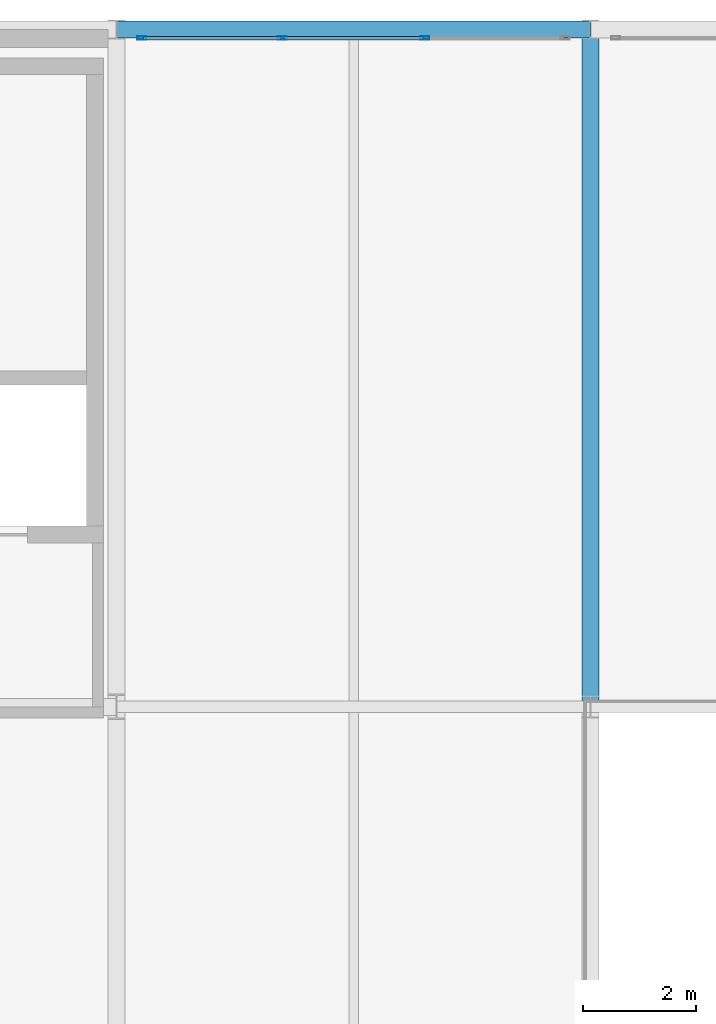
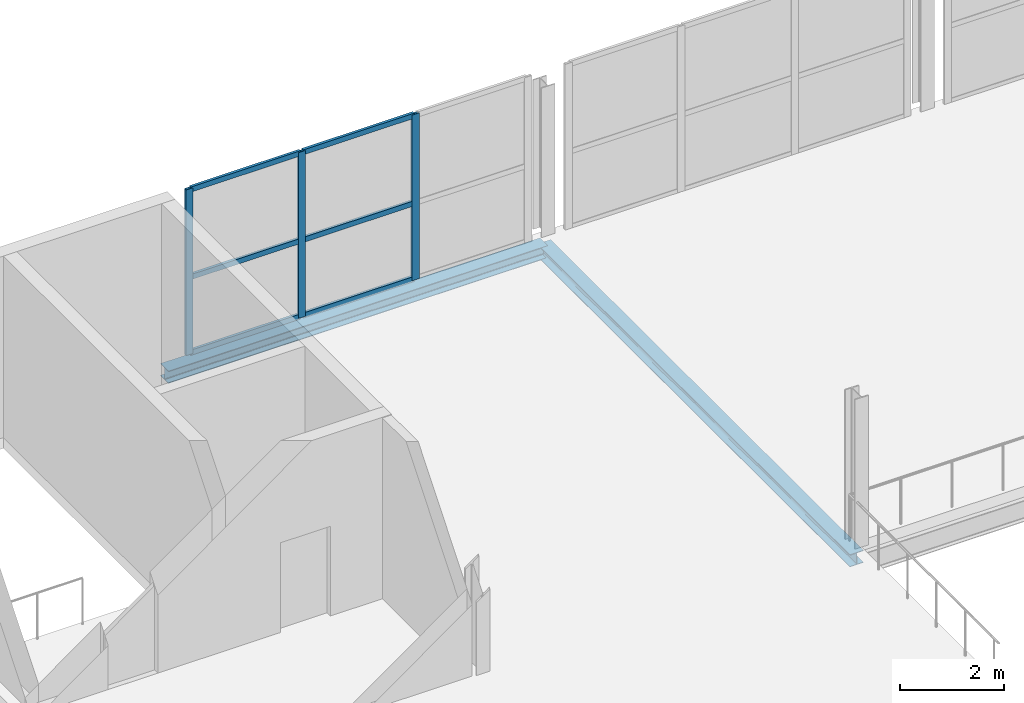
# One storey, part 61 of 103: 9 members, 2 beams, 1 element without a shape of its own.
"""IFC4 building model written with IfcOpenShell, lengths in metres."""

from ifc_helpers import new_model, si_unit, direction, frame, origin, origin_2d, place, context, subcontext, project, spatial, hollow_rectangle, i_section, extrude, material, material_profile, profile_set, type_object, element, aggregate, save


model = new_model("IFC4")

# Units and contexts
model_context = context("Model", 3, precision=1e-05, world=origin(), true_north=direction((0.0, 1.0)))
body_context = subcontext(model_context, "Body", "Model", "MODEL_VIEW")
ifc_project = project(units=[si_unit("LENGTHUNIT", "METRE"), si_unit("AREAUNIT", "SQUARE_METRE"), si_unit("VOLUMEUNIT", "CUBIC_METRE"), si_unit("PLANEANGLEUNIT", "RADIAN"), si_unit("MASSUNIT", "GRAM", prefix="KILO")], contexts=[model_context])

# Site, building, storey
site_placement = place(None, origin())
site = spatial("IfcSite", under=ifc_project, at=site_placement, CompositionType="ELEMENT")
building_placement = place(site_placement, origin())
building = spatial("IfcBuilding", under=site, at=building_placement, Name="Veltarok Museum of Natural Sciences", CompositionType="ELEMENT")
storey_placement = place(building_placement, frame((0.0, 0.0, 21.89990234375)))
storey = spatial("IfcBuildingStorey", under=building, at=storey_placement, Name="L04", CompositionType="ELEMENT", Elevation=21.89990234375)

# Curtain wall, members
ifc_material_1 = material(Name="Low-iron triple insulated glass", Category="glass")
curtain_wall_type = type_object("IfcCurtainWallType", Name="Curtain Wall System CW-V2N-L04-6-756x388 (V2 North Hall L04 6-7 756x388cm)", PredefinedType="NOTDEFINED", material=ifc_material_1)
curtain_wall_placement = place(storey_placement, origin())
curtain_wall = element("IfcCurtainWall", 1, at=curtain_wall_placement, inside=storey, type_object=curtain_wall_type, Name="Curtain Wall CW-V2N-L04-6-756x388 CW-0061", PredefinedType="NOTDEFINED")
ifc_material_2 = material(Name="Thermally broken anodised aluminium", Category="aluminium")
ifc_material_profile_1 = material_profile(ifc_material_2, hollow_rectangle(XDim=0.06005859375, YDim=0.1201171875, WallThickness=0.0048828125, at=origin_2d()), Name="CW TRANSOM 60x120x5")
ifc_profile_set_1 = profile_set([ifc_material_profile_1], Name="Thermally broken anodised aluminium")
member_type_1 = type_object("IfcMemberType", Name="Curtain Wall Horizontal Transom 60x120x5", PredefinedType="USERDEFINED", material=ifc_profile_set_1)
member_1_placement = place(storey_placement, frame((53.830078125, 71.85009765625, 0.030029296875), z_axis=(-1.0, 0.0, 0.0), x_axis=(0.0, -1.0, 0.0)))
member_1 = element("IfcMember", 2, at=member_1_placement, type_object=member_type_1, Name="CW-V2N-L04-6-756x388 transom 2.1", ObjectType="TRANSOM", PredefinedType="USERDEFINED", context=body_context, shape_type="SweptSolid", body=[
    extrude(hollow_rectangle(XDim=0.06005859375, YDim=0.1201171875, WallThickness=0.0048828125, at=origin_2d()), origin(), (0.0, 0.0, 1.0), 2.4599609375),
])
member_2_placement = place(storey_placement, frame((53.830078125, 71.85009765625, 1.800048828125), z_axis=(-1.0, 0.0, 0.0), x_axis=(0.0, -1.0, 0.0)))
member_2 = element("IfcMember", 3, at=member_2_placement, type_object=member_type_1, Name="CW-V2N-L04-6-756x388 transom 2.2", ObjectType="TRANSOM", PredefinedType="USERDEFINED", context=body_context, shape_type="SweptSolid", body=[
    extrude(hollow_rectangle(XDim=0.06005859375, YDim=0.1201171875, WallThickness=0.0048828125, at=origin_2d()), origin(), (0.0, 0.0, 1.0), 2.4599609375),
])
member_3_placement = place(storey_placement, frame((53.830078125, 71.85009765625, 3.85009765625), z_axis=(-1.0, 0.0, 0.0), x_axis=(0.0, -1.0, 0.0)))
member_3 = element("IfcMember", 4, at=member_3_placement, type_object=member_type_1, Name="CW-V2N-L04-6-756x388 transom 2.3", ObjectType="TRANSOM", PredefinedType="USERDEFINED", context=body_context, shape_type="SweptSolid", body=[
    extrude(hollow_rectangle(XDim=0.06005859375, YDim=0.1201171875, WallThickness=0.0048828125, at=origin_2d()), origin(), (0.0, 0.0, 1.0), 2.4599609375),
])
member_4_placement = place(storey_placement, frame((51.31005859375, 71.85009765625, 0.030029296875), z_axis=(-1.0, 0.0, 0.0), x_axis=(0.0, -1.0, 0.0)))
member_4 = element("IfcMember", 5, at=member_4_placement, type_object=member_type_1, Name="CW-V2N-L04-6-756x388 transom 3.1", ObjectType="TRANSOM", PredefinedType="USERDEFINED", context=body_context, shape_type="SweptSolid", body=[
    extrude(hollow_rectangle(XDim=0.06005859375, YDim=0.1201171875, WallThickness=0.0048828125, at=origin_2d()), origin(), (0.0, 0.0, 1.0), 2.43017578125),
])
member_5_placement = place(storey_placement, frame((51.31005859375, 71.85009765625, 1.800048828125), z_axis=(-1.0, 0.0, 0.0), x_axis=(0.0, -1.0, 0.0)))
member_5 = element("IfcMember", 6, at=member_5_placement, type_object=member_type_1, Name="CW-V2N-L04-6-756x388 transom 3.2", ObjectType="TRANSOM", PredefinedType="USERDEFINED", context=body_context, shape_type="SweptSolid", body=[
    extrude(hollow_rectangle(XDim=0.06005859375, YDim=0.1201171875, WallThickness=0.0048828125, at=origin_2d()), origin(), (0.0, 0.0, 1.0), 2.43017578125),
])
member_6_placement = place(storey_placement, frame((51.31005859375, 71.85009765625, 3.85009765625), z_axis=(-1.0, 0.0, 0.0), x_axis=(0.0, -1.0, 0.0)))
member_6 = element("IfcMember", 7, at=member_6_placement, type_object=member_type_1, Name="CW-V2N-L04-6-756x388 transom 3.3", ObjectType="TRANSOM", PredefinedType="USERDEFINED", context=body_context, shape_type="SweptSolid", body=[
    extrude(hollow_rectangle(XDim=0.06005859375, YDim=0.1201171875, WallThickness=0.0048828125, at=origin_2d()), origin(), (0.0, 0.0, 1.0), 2.43017578125),
])
ifc_material_profile_2 = material_profile(ifc_material_2, hollow_rectangle(XDim=0.06005859375, YDim=0.159912109375, WallThickness=0.0048828125, at=origin_2d()), Name="CW MULLION 60x160x5")
ifc_profile_set_2 = profile_set([ifc_material_profile_2], Name="Thermally broken anodised aluminium")
member_type_2 = type_object("IfcMemberType", Name="Curtain Wall Vertical Mullion 60x160x5", PredefinedType="MULLION", material=ifc_profile_set_2)
member_7_placement = place(storey_placement, frame((53.860107421875, 71.85009765625, 0.0), z_axis=(0.0, 0.0, 1.0), x_axis=(0.0, -1.0, 0.0)))
member_7 = element("IfcMember", 8, at=member_7_placement, type_object=member_type_2, Name="CW-V2N-L04-6-756x388 mullion 2", PredefinedType="MULLION", context=body_context, shape_type="SweptSolid", body=[
    extrude(hollow_rectangle(XDim=0.06005859375, YDim=0.159912109375, WallThickness=0.0048828125, at=origin_2d()), origin(), (0.0, 0.0, 1.0), 3.880126953125),
])
member_8_placement = place(storey_placement, frame((51.340087890625, 71.85009765625, 0.0), z_axis=(0.0, 0.0, 1.0), x_axis=(0.0, -1.0, 0.0)))
member_8 = element("IfcMember", 9, at=member_8_placement, type_object=member_type_2, Name="CW-V2N-L04-6-756x388 mullion 3", PredefinedType="MULLION", context=body_context, shape_type="SweptSolid", body=[
    extrude(hollow_rectangle(XDim=0.06005859375, YDim=0.159912109375, WallThickness=0.0048828125, at=origin_2d()), origin(), (0.0, 0.0, 1.0), 3.880126953125),
])
member_9_placement = place(storey_placement, frame((48.85009765625, 71.85009765625, 0.0), z_axis=(0.0, 0.0, 1.0), x_axis=(0.0, -1.0, 0.0)))
member_9 = element("IfcMember", 10, at=member_9_placement, type_object=member_type_2, Name="CW-V2N-L04-6-756x388 mullion 4", PredefinedType="MULLION", context=body_context, shape_type="SweptSolid", body=[
    extrude(hollow_rectangle(XDim=0.06005859375, YDim=0.159912109375, WallThickness=0.0048828125, at=origin_2d()), origin(), (0.0, 0.0, 1.0), 3.880126953125),
])
aggregate(curtain_wall, [member_7, member_8, member_9, member_1, member_2, member_3, member_4, member_5, member_6])

# Beams
ifc_material_3 = material(Name="Steel S355J2", Category="steel")
ifc_material_profile_3 = material_profile(ifc_material_3, i_section(OverallWidth=0.300048828125, OverallDepth=0.2900390625, WebThickness=0.008544921875, FlangeThickness=0.013916015625, FilletRadius=0.027099609375, at=origin_2d()), Name="HEA 300")
ifc_profile_set_3 = profile_set([ifc_material_profile_3], Name="Steel S355J2")
beam_type = type_object("IfcBeamType", Name="Glazed Hall Edge Spandrel HEA 300", PredefinedType="SPANDREL", material=ifc_profile_set_3)
beam_1_placement = place(storey_placement, frame((48.39990234375, 72.0, -0.39501953125), z_axis=(1.0, 0.0, 0.0), x_axis=(0.0, 1.0, 0.0)))
element("IfcBeam", 11, at=beam_1_placement, inside=storey, type_object=beam_type, Name="Beam BM-SP03 L04 6-7/H", PredefinedType="SPANDREL", context=body_context, shape_type="SweptSolid", body=[
    extrude(i_section(OverallWidth=0.300048828125, OverallDepth=0.2900390625, WebThickness=0.008544921875, FlangeThickness=0.013916015625, FilletRadius=0.027099609375, at=origin_2d()), origin(), (0.0, 0.0, 1.0), 8.400146484375),
])
beam_2_placement = place(storey_placement, frame((56.800048828125, 60.0, -0.39501953125), z_axis=(0.0, 1.0, 0.0), x_axis=(-1.0, 0.0, 0.0)))
element("IfcBeam", 12, at=beam_2_placement, inside=storey, type_object=beam_type, Name="Beam BM-SP03 L04 7/G-H", PredefinedType="SPANDREL", context=body_context, shape_type="SweptSolid", body=[
    extrude(i_section(OverallWidth=0.300048828125, OverallDepth=0.2900390625, WebThickness=0.008544921875, FlangeThickness=0.013916015625, FilletRadius=0.027099609375, at=origin_2d()), origin(), (0.0, 0.0, 1.0), 12.0),
])

save(model, "model.ifc")
